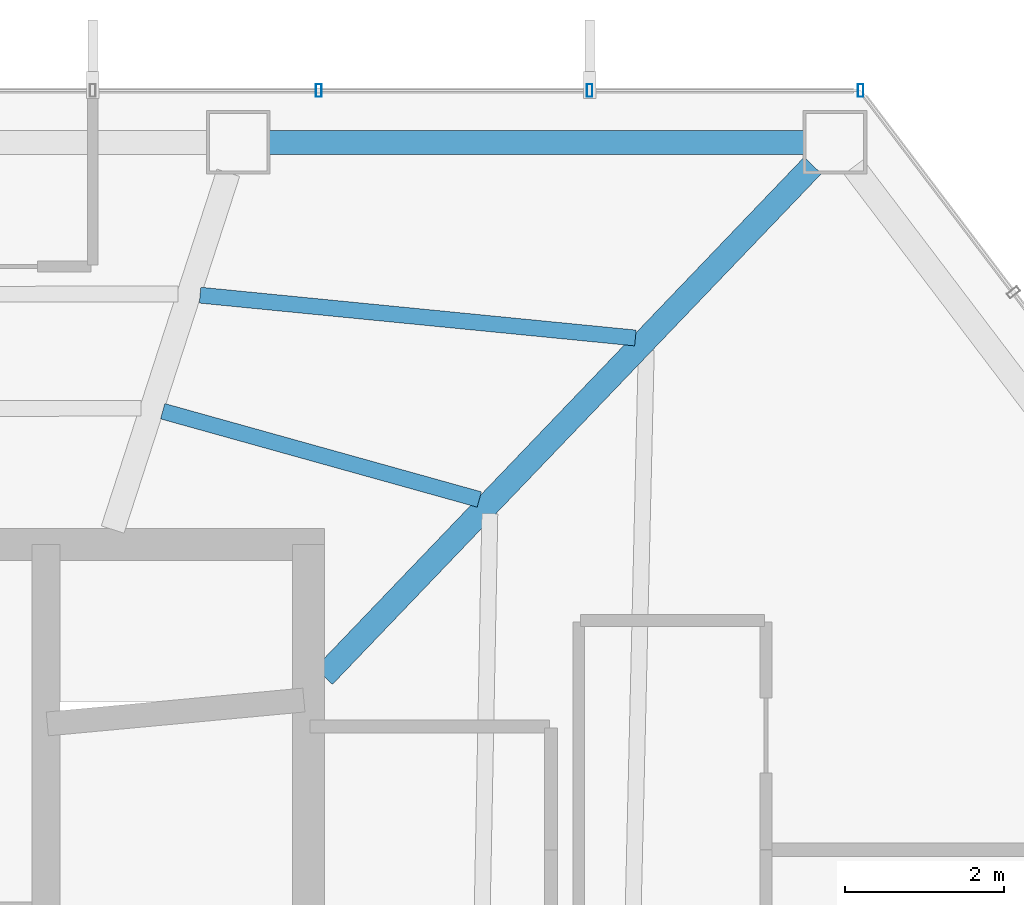
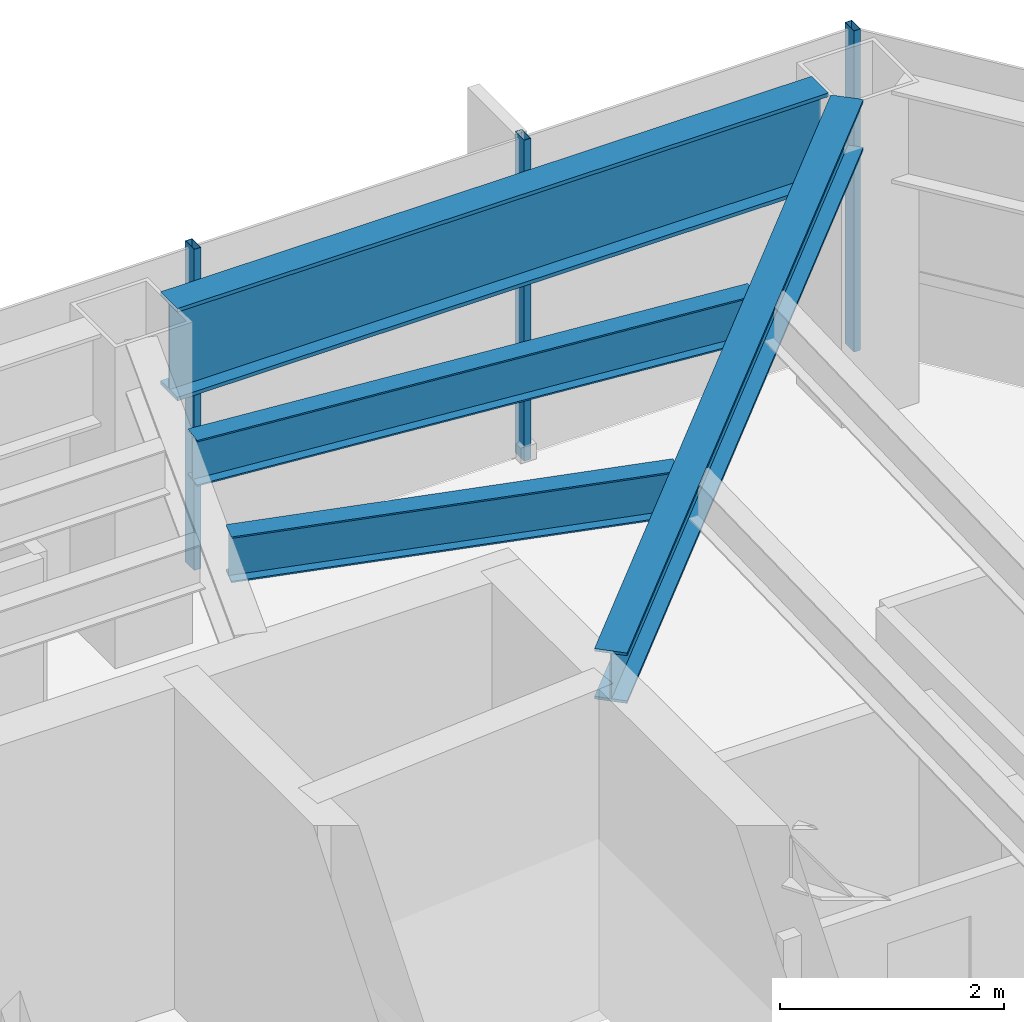
# One storey, part 22 of 29: 4 beams, 3 members, 1 element without a shape of its own.
"""IFC4 building model written with IfcOpenShell, lengths in metres."""

from ifc_helpers import new_model, si_unit, direction, frame, origin, origin_2d, place, context, subcontext, project, spatial, hollow_rectangle, i_section, extrude, material, layer, layer_set, material_profile, profile_set, type_object, element, aggregate, save


model = new_model("IFC4")

# Units and contexts
model_context = context("Model", 3, precision=1e-05, world=origin(), true_north=direction((0.0, 1.0)))
body_context = subcontext(model_context, "Body", "Model", "MODEL_VIEW")
ifc_project = project(units=[si_unit("LENGTHUNIT", "METRE"), si_unit("AREAUNIT", "SQUARE_METRE"), si_unit("VOLUMEUNIT", "CUBIC_METRE"), si_unit("PLANEANGLEUNIT", "RADIAN"), si_unit("MASSUNIT", "GRAM", prefix="KILO")], contexts=[model_context])

# Site, building, storey
site_placement = place(None, origin())
site = spatial("IfcSite", under=ifc_project, at=site_placement, CompositionType="ELEMENT")
building_placement = place(site_placement, origin())
building = spatial("IfcBuilding", under=site, at=building_placement, Name="Zarrinselat Tower", CompositionType="ELEMENT")
storey_placement = place(building_placement, frame((0.0, 0.0, 138.3798828125)))
storey = spatial("IfcBuildingStorey", under=building, at=storey_placement, Name="L33", CompositionType="ELEMENT", Elevation=138.3798828125)

# Beams
ifc_material_1 = material(Name="Steel S355J2", Category="steel")
ifc_material_profile_1 = material_profile(ifc_material_1, i_section(OverallWidth=0.300048828125, OverallDepth=0.550048828125, WebThickness=0.014892578125, FlangeThickness=0.029052734375, at=origin_2d()), Name="HEB 550")
ifc_profile_set_1 = profile_set([ifc_material_profile_1], Name="Steel S355J2")
beam_type_1 = type_object("IfcBeamType", Name="BM-HEB550", PredefinedType="BEAM", material=ifc_profile_set_1)
beam_1_placement = place(storey_placement, frame((48.449951171875, 41.800048828125, 3.22509765625), z_axis=(0.691574247742, 0.722305378535, 0.0), x_axis=(-0.722305378535, 0.691574247742, 0.0)))
element("IfcBeam", 1, at=beam_1_placement, inside=storey, type_object=beam_type_1, Name="L33 Radial Primary Girder RG01", PredefinedType="BEAM", context=body_context, shape_type="SweptSolid", body=[
    extrude(i_section(OverallWidth=0.300048828125, OverallDepth=0.550048828125, WebThickness=0.014892578125, FlangeThickness=0.029052734375, at=origin_2d()), origin(), (0.0, 0.0, 1.0), 8.8740234375),
])
ifc_material_2 = material(Name="Steel S460M", Category="steel")
ifc_material_profile_2 = material_profile(ifc_material_2, i_section(OverallWidth=0.302001953125, OverallDepth=1.008056640625, WebThickness=0.02099609375, FlangeThickness=0.0400390625, at=origin_2d()), Name="HEM 1000")
ifc_profile_set_2 = profile_set([ifc_material_profile_2], Name="Steel S460M")
beam_type_2 = type_object("IfcBeamType", Name="BM-HEM1000", PredefinedType="BEAM", material=ifc_profile_set_2)
beam_2_placement = place(storey_placement, frame((47.762939453125, 48.5, 2.99609375), z_axis=(1.0, 0.0, 0.0), x_axis=(0.0, 1.0, 0.0)))
element("IfcBeam", 2, at=beam_2_placement, inside=storey, type_object=beam_type_2, Name="L33 Perimeter Spandrel Girder SP01", PredefinedType="BEAM", context=body_context, shape_type="SweptSolid", body=[
    extrude(i_section(OverallWidth=0.302001953125, OverallDepth=1.008056640625, WebThickness=0.02099609375, FlangeThickness=0.0400390625, at=origin_2d()), origin(), (0.0, 0.0, 1.0), 6.714111328125),
])
ifc_material_3 = material(Name="Steel S355J2", Category="steel")
ifc_material_profile_3 = material_profile(ifc_material_3, i_section(OverallWidth=0.199951171875, OverallDepth=0.5, WebThickness=0.01025390625, FlangeThickness=0.01611328125, at=origin_2d()), Name="IPE 500")
ifc_profile_set_3 = profile_set([ifc_material_profile_3], Name="Steel S355J2")
beam_type_3 = type_object("IfcBeamType", Name="BM-IPE500", PredefinedType="JOIST", material=ifc_profile_set_3)
beam_3_placement = place(storey_placement, frame((46.89697265625, 46.58154296875, 3.25), z_axis=(0.995194854062, -0.097914260696, 0.0), x_axis=(0.097914260696, 0.995194854062, 0.0)))
element("IfcBeam", 3, at=beam_3_placement, inside=storey, type_object=beam_type_3, Name="L33 Composite Floor Joist 6-1", PredefinedType="JOIST", context=body_context, shape_type="SweptSolid", body=[
    extrude(i_section(OverallWidth=0.199951171875, OverallDepth=0.5, WebThickness=0.01025390625, FlangeThickness=0.01611328125, at=origin_2d()), origin(), (0.0, 0.0, 1.0), 5.490478515625),
])
beam_4_placement = place(storey_placement, frame((46.42822265625, 45.124755859375, 3.25), z_axis=(0.963255434512, -0.268586983829, 0.0), x_axis=(0.268586983829, 0.963255434512, 0.0)))
element("IfcBeam", 4, at=beam_4_placement, inside=storey, type_object=beam_type_3, Name="L33 Composite Floor Joist 6-2", PredefinedType="JOIST", context=body_context, shape_type="SweptSolid", body=[
    extrude(i_section(OverallWidth=0.199951171875, OverallDepth=0.5, WebThickness=0.01025390625, FlangeThickness=0.01611328125, at=origin_2d()), origin(), (0.0, 0.0, 1.0), 4.125),
])

# Curtain wall, members
ifc_material_4 = material(Name="Extruded Aluminium Alloy EN AW-6063 T6", Category="aluminium")
ifc_layer = layer(ifc_material_4, 0.175048828125)
ifc_layer_set = layer_set([ifc_layer], Name="Extruded Aluminium Alloy EN AW-6063 T6")
curtain_wall_type = type_object("IfcCurtainWallType", Name="CWS-HTL", PredefinedType="NOTDEFINED", material=ifc_layer_set)
curtain_wall_placement = place(storey_placement, origin())
curtain_wall = element("IfcCurtainWall", 5, at=curtain_wall_placement, inside=storey, type_object=curtain_wall_type, Name="L33 Unitised Curtain Wall CW-L33-E01", PredefinedType="NOTDEFINED")
ifc_material_5 = material(Name="Extruded Aluminium Alloy EN AW-6063 T6", Category="aluminium")
ifc_material_profile_4 = material_profile(ifc_material_5, hollow_rectangle(XDim=0.070068359375, YDim=0.159912109375, WallThickness=0.00390625, at=origin_2d()), Name="RHS 160x70x4")
ifc_profile_set_4 = profile_set([ifc_material_profile_4], Name="Extruded Aluminium Alloy EN AW-6063 T6")
member_type = type_object("IfcMemberType", Name="MEM-CW-MUL2", PredefinedType="MULLION", material=ifc_profile_set_4)
member_1_placement = place(storey_placement, frame((55.18798828125, 49.14990234375, 0.0), z_axis=(0.0, 0.0, 1.0), x_axis=(-1.0, 0.0, 0.0)))
member_1 = element("IfcMember", 6, at=member_1_placement, type_object=member_type, Name="CW-L33-E01 Mullion 0", PredefinedType="MULLION", context=body_context, shape_type="SweptSolid", body=[
    extrude(hollow_rectangle(XDim=0.070068359375, YDim=0.159912109375, WallThickness=0.00390625, at=origin_2d()), origin(), (0.0, 0.0, 1.0), 3.5),
])
member_2_placement = place(storey_placement, frame((51.787353515625, 49.14990234375, 0.0), z_axis=(0.0, 0.0, 1.0), x_axis=(-1.0, 0.0, 0.0)))
member_2 = element("IfcMember", 7, at=member_2_placement, type_object=member_type, Name="CW-L33-E01 Mullion 1", PredefinedType="MULLION", context=body_context, shape_type="SweptSolid", body=[
    extrude(hollow_rectangle(XDim=0.070068359375, YDim=0.159912109375, WallThickness=0.00390625, at=origin_2d()), origin(), (0.0, 0.0, 1.0), 3.5),
])
member_3_placement = place(storey_placement, frame((48.386474609375, 49.14990234375, 0.0), z_axis=(0.0, 0.0, 1.0), x_axis=(-1.0, 0.0, 0.0)))
member_3 = element("IfcMember", 8, at=member_3_placement, type_object=member_type, Name="CW-L33-E01 Mullion 2", PredefinedType="MULLION", context=body_context, shape_type="SweptSolid", body=[
    extrude(hollow_rectangle(XDim=0.070068359375, YDim=0.159912109375, WallThickness=0.00390625, at=origin_2d()), origin(), (0.0, 0.0, 1.0), 3.5),
])
aggregate(curtain_wall, [member_1, member_2, member_3])

save(model, "model.ifc")
